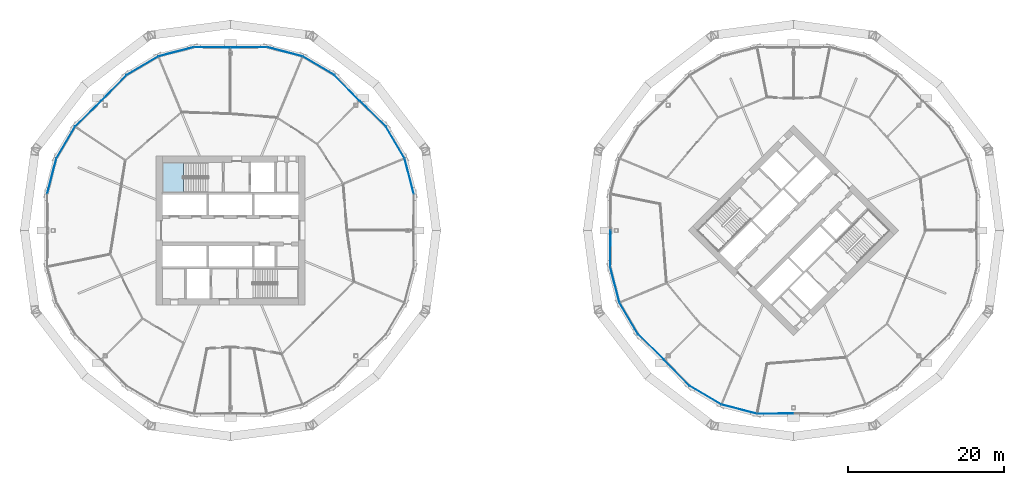
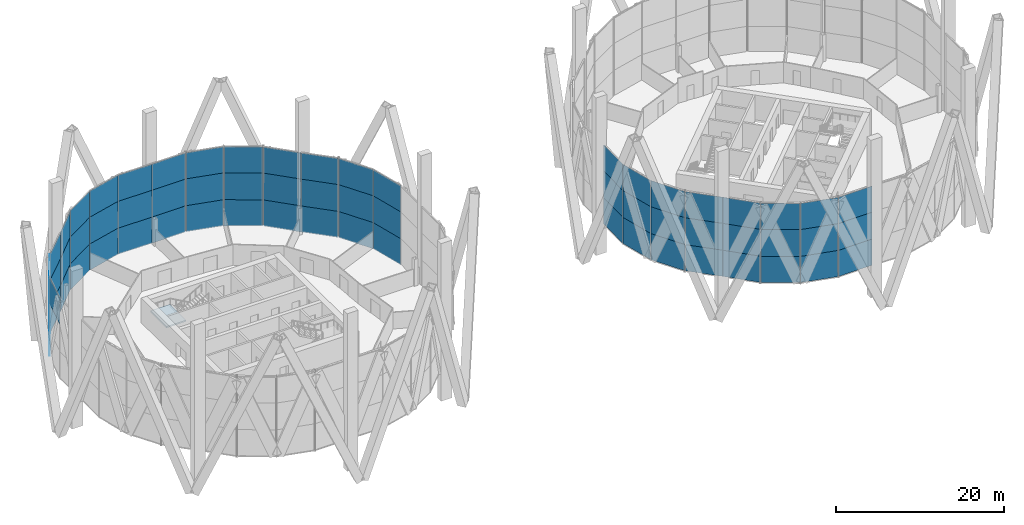
# One storey, part 16 of 26: 64 plates, 1 slab, 7 elements without a shape of their own.
"""IFC4 building model written with IfcOpenShell, lengths in metres."""

from ifc_helpers import new_model, si_unit, direction, frame, origin, origin_2d, place, context, subcontext, project, spatial, polyline, rectangle, outline, extrude, material, layer, layer_set, type_object, element, aggregate, save


model = new_model("IFC4")

# Units and contexts
model_context = context("Model", 3, precision=1e-05, world=origin(), true_north=direction((0.0, 1.0)))
body_context = subcontext(model_context, "Body", "Model", "MODEL_VIEW")
ifc_project = project(units=[si_unit("LENGTHUNIT", "METRE"), si_unit("AREAUNIT", "SQUARE_METRE"), si_unit("VOLUMEUNIT", "CUBIC_METRE"), si_unit("PLANEANGLEUNIT", "RADIAN"), si_unit("MASSUNIT", "GRAM", prefix="KILO")], contexts=[model_context])

# Site, building, storey
site_placement = place(None, origin())
site = spatial("IfcSite", under=ifc_project, at=site_placement, CompositionType="ELEMENT")
building_placement = place(site_placement, origin())
building = spatial("IfcBuilding", under=site, at=building_placement, Name="Ogive Gate Towers", CompositionType="ELEMENT")
storey_placement = place(building_placement, frame((0.0, 0.0, 76.199951171875)))
storey = spatial("IfcBuildingStorey", under=building, at=storey_placement, Name="L17", CompositionType="ELEMENT", Elevation=76.199951171875)

# Stair, slab
ifc_material_1 = material(Name="Concrete C40/50", Category="concrete")
stair_type = type_object("IfcStairType", Name="Escape stair 1840 wide", PredefinedType="HALF_TURN_STAIR", material=ifc_material_1)
stair_placement = place(storey_placement, origin())
stair = element("IfcStair", 1, at=stair_placement, inside=storey, type_object=stair_type, Name="L17 Escape stair 1", PredefinedType="HALF_TURN_STAIR")
ifc_layer_1 = layer(ifc_material_1, 0.199951171875)
ifc_layer_set_1 = layer_set([ifc_layer_1], Name="Stair landing 200 mm")
slab_type = type_object("IfcSlabType", Name="Stair landing 200 mm", PredefinedType="LANDING", material=ifc_layer_set_1)
slab_placement = place(storey_placement, frame((0.0, 0.0, 1.75)))
slab = element("IfcSlab", 2, at=slab_placement, type_object=slab_type, Name="ST1 landing 1", PredefinedType="LANDING", context=body_context, shape_type="SweptSolid", body=[
    extrude(outline(polyline([(-42.00146484375, 8.699951171875), (-44.699951171875, 8.699951171875), (-44.699951171875, 4.875), (-42.00146484375, 4.875), (-42.00146484375, 8.699951171875)])), origin(), (0.0, 0.0, 1.0), 0.199951171875),
])
aggregate(stair, [slab])

# Curtain wall, plates
ifc_material_2 = material(Name="Pale metal aluminium", Category="aluminium")
curtain_wall_type = type_object("IfcCurtainWallType", Name="Tower unitised wall, low zone", PredefinedType="NOTDEFINED", material=ifc_material_2)
curtain_wall_1_placement = place(storey_placement, origin())
curtain_wall_1 = element("IfcCurtainWall", 3, at=curtain_wall_1_placement, inside=storey, type_object=curtain_wall_type, Name="CW1 T1 ECW01", PredefinedType="NOTDEFINED")
ifc_material_3 = material(Name="Clear glass", Category="glass")
ifc_layer_2 = layer(ifc_material_3, 0.028076171875)
ifc_layer_set_2 = layer_set([ifc_layer_2], Name="Tower unitised wall, low zone glass panel")
plate_type = type_object("IfcPlateType", Name="Tower unitised wall, low zone glass panel", PredefinedType="CURTAIN_PANEL", material=ifc_layer_set_2)
plate_1_placement = place(storey_placement, frame((-13.1455078125, 6.939208984375, -0.2041015625), z_axis=(0.0, 0.0, 1.0), x_axis=(-0.249416730566, 0.968396248709, 0.0)))
plate_1 = element("IfcPlate", 4, at=plate_1_placement, type_object=plate_type, Name="CW1 glass panel", PredefinedType="CURTAIN_PANEL", context=body_context, shape_type="SweptSolid", body=[
    extrude(rectangle(XDim=4.65478515625, YDim=0.028076171875, at=origin_2d()), origin(), (0.0, 0.0, 1.0), 3.803955078125),
])
plate_2_placement = place(storey_placement, frame((-13.1455078125, 6.939208984375, 3.60009765625), z_axis=(0.0, 0.0, 1.0), x_axis=(-0.249416730566, 0.968396248709, 0.0)))
plate_2 = element("IfcPlate", 5, at=plate_2_placement, type_object=plate_type, Name="CW1 glass panel", PredefinedType="CURTAIN_PANEL", context=body_context, shape_type="SweptSolid", body=[
    extrude(rectangle(XDim=4.65478515625, YDim=0.028076171875, at=origin_2d()), origin(), (0.0, 0.0, 1.0), 3.89990234375),
])
plate_3_placement = place(storey_placement, frame((-13.1455078125, 6.939208984375, 7.5), z_axis=(0.0, 0.0, 1.0), x_axis=(-0.249416730566, 0.968396248709, 0.0)))
plate_3 = element("IfcPlate", 6, at=plate_3_placement, type_object=plate_type, Name="CW1 glass panel", PredefinedType="CURTAIN_PANEL", context=body_context, shape_type="SweptSolid", body=[
    extrude(rectangle(XDim=4.65478515625, YDim=0.028076171875, at=origin_2d()), origin(), (0.0, 0.0, 1.0), 3.803955078125),
])
plate_4_placement = place(storey_placement, frame((-14.9326171875, 11.25390625, -0.2041015625), z_axis=(0.0, 0.0, 1.0), x_axis=(-0.508410322181, 0.86111494256, 0.0)))
plate_4 = element("IfcPlate", 7, at=plate_4_placement, type_object=plate_type, Name="CW1 glass panel", PredefinedType="CURTAIN_PANEL", context=body_context, shape_type="SweptSolid", body=[
    extrude(rectangle(XDim=4.65478515625, YDim=0.028076171875, at=origin_2d()), origin(), (0.0, 0.0, 1.0), 3.803955078125),
])
plate_5_placement = place(storey_placement, frame((-14.9326171875, 11.25390625, 3.60009765625), z_axis=(0.0, 0.0, 1.0), x_axis=(-0.508410322181, 0.86111494256, 0.0)))
plate_5 = element("IfcPlate", 8, at=plate_5_placement, type_object=plate_type, Name="CW1 glass panel", PredefinedType="CURTAIN_PANEL", context=body_context, shape_type="SweptSolid", body=[
    extrude(rectangle(XDim=4.65478515625, YDim=0.028076171875, at=origin_2d()), origin(), (0.0, 0.0, 1.0), 3.89990234375),
])
plate_6_placement = place(storey_placement, frame((-14.9326171875, 11.25390625, 7.5), z_axis=(0.0, 0.0, 1.0), x_axis=(-0.508410322181, 0.86111494256, 0.0)))
plate_6 = element("IfcPlate", 9, at=plate_6_placement, type_object=plate_type, Name="CW1 glass panel", PredefinedType="CURTAIN_PANEL", context=body_context, shape_type="SweptSolid", body=[
    extrude(rectangle(XDim=4.65478515625, YDim=0.028076171875, at=origin_2d()), origin(), (0.0, 0.0, 1.0), 3.803955078125),
])
plate_7_placement = place(storey_placement, frame((-17.7939453125, 14.916748046875, -0.2041015625), z_axis=(0.0, 0.0, 1.0), x_axis=(-0.713568438241, 0.700585529358, 0.0)))
plate_7 = element("IfcPlate", 10, at=plate_7_placement, type_object=plate_type, Name="CW1 glass panel", PredefinedType="CURTAIN_PANEL", context=body_context, shape_type="SweptSolid", body=[
    extrude(rectangle(XDim=4.59765625, YDim=0.028076171875, at=origin_2d()), origin(), (0.0, 0.0, 1.0), 3.803955078125),
])
plate_8_placement = place(storey_placement, frame((-17.7939453125, 14.916748046875, 3.60009765625), z_axis=(0.0, 0.0, 1.0), x_axis=(-0.713568438241, 0.700585529358, 0.0)))
plate_8 = element("IfcPlate", 11, at=plate_8_placement, type_object=plate_type, Name="CW1 glass panel", PredefinedType="CURTAIN_PANEL", context=body_context, shape_type="SweptSolid", body=[
    extrude(rectangle(XDim=4.59765625, YDim=0.028076171875, at=origin_2d()), origin(), (0.0, 0.0, 1.0), 3.89990234375),
])
plate_9_placement = place(storey_placement, frame((-17.7939453125, 14.916748046875, 7.5), z_axis=(0.0, 0.0, 1.0), x_axis=(-0.713568438241, 0.700585529358, 0.0)))
plate_9 = element("IfcPlate", 12, at=plate_9_placement, type_object=plate_type, Name="CW1 glass panel", PredefinedType="CURTAIN_PANEL", context=body_context, shape_type="SweptSolid", body=[
    extrude(rectangle(XDim=4.59765625, YDim=0.028076171875, at=origin_2d()), origin(), (0.0, 0.0, 1.0), 3.803955078125),
])
aggregate(curtain_wall_1, [plate_1, plate_2, plate_3, plate_4, plate_5, plate_6, plate_7, plate_8, plate_9])

curtain_wall_2_placement = place(storey_placement, origin())
curtain_wall_2 = element("IfcCurtainWall", 13, at=curtain_wall_2_placement, inside=storey, type_object=curtain_wall_type, Name="CW1 T1 ECW02", PredefinedType="NOTDEFINED")
plate_10_placement = place(storey_placement, frame((-21.083251953125, 18.2060546875, -0.2041015625), z_axis=(0.0, 0.0, 1.0), x_axis=(-0.700585529358, 0.713568438241, 0.0)))
plate_10 = element("IfcPlate", 14, at=plate_10_placement, type_object=plate_type, Name="CW1 glass panel", PredefinedType="CURTAIN_PANEL", context=body_context, shape_type="SweptSolid", body=[
    extrude(rectangle(XDim=4.59765625, YDim=0.028076171875, at=origin_2d()), origin(), (0.0, 0.0, 1.0), 3.803955078125),
])
plate_11_placement = place(storey_placement, frame((-21.083251953125, 18.2060546875, 3.60009765625), z_axis=(0.0, 0.0, 1.0), x_axis=(-0.700585529358, 0.713568438241, 0.0)))
plate_11 = element("IfcPlate", 15, at=plate_11_placement, type_object=plate_type, Name="CW1 glass panel", PredefinedType="CURTAIN_PANEL", context=body_context, shape_type="SweptSolid", body=[
    extrude(rectangle(XDim=4.59765625, YDim=0.028076171875, at=origin_2d()), origin(), (0.0, 0.0, 1.0), 3.89990234375),
])
plate_12_placement = place(storey_placement, frame((-21.083251953125, 18.2060546875, 7.5), z_axis=(0.0, 0.0, 1.0), x_axis=(-0.700585529358, 0.713568438241, 0.0)))
plate_12 = element("IfcPlate", 16, at=plate_12_placement, type_object=plate_type, Name="CW1 glass panel", PredefinedType="CURTAIN_PANEL", context=body_context, shape_type="SweptSolid", body=[
    extrude(rectangle(XDim=4.59765625, YDim=0.028076171875, at=origin_2d()), origin(), (0.0, 0.0, 1.0), 3.803955078125),
])
plate_13_placement = place(storey_placement, frame((-24.74609375, 21.0673828125, -0.2041015625), z_axis=(0.0, 0.0, 1.0), x_axis=(-0.86111494256, 0.508410322181, 0.0)))
plate_13 = element("IfcPlate", 17, at=plate_13_placement, type_object=plate_type, Name="CW1 glass panel", PredefinedType="CURTAIN_PANEL", context=body_context, shape_type="SweptSolid", body=[
    extrude(rectangle(XDim=4.65478515625, YDim=0.028076171875, at=origin_2d()), origin(), (0.0, 0.0, 1.0), 3.803955078125),
])
plate_14_placement = place(storey_placement, frame((-24.74609375, 21.0673828125, 3.60009765625), z_axis=(0.0, 0.0, 1.0), x_axis=(-0.86111494256, 0.508410322181, 0.0)))
plate_14 = element("IfcPlate", 18, at=plate_14_placement, type_object=plate_type, Name="CW1 glass panel", PredefinedType="CURTAIN_PANEL", context=body_context, shape_type="SweptSolid", body=[
    extrude(rectangle(XDim=4.65478515625, YDim=0.028076171875, at=origin_2d()), origin(), (0.0, 0.0, 1.0), 3.89990234375),
])
plate_15_placement = place(storey_placement, frame((-24.74609375, 21.0673828125, 7.5), z_axis=(0.0, 0.0, 1.0), x_axis=(-0.86111494256, 0.508410322181, 0.0)))
plate_15 = element("IfcPlate", 19, at=plate_15_placement, type_object=plate_type, Name="CW1 glass panel", PredefinedType="CURTAIN_PANEL", context=body_context, shape_type="SweptSolid", body=[
    extrude(rectangle(XDim=4.65478515625, YDim=0.028076171875, at=origin_2d()), origin(), (0.0, 0.0, 1.0), 3.803955078125),
])
plate_16_placement = place(storey_placement, frame((-29.060791015625, 22.8544921875, -0.2041015625), z_axis=(0.0, 0.0, 1.0), x_axis=(-0.968396248709, 0.249416730566, 0.0)))
plate_16 = element("IfcPlate", 20, at=plate_16_placement, type_object=plate_type, Name="CW1 glass panel", PredefinedType="CURTAIN_PANEL", context=body_context, shape_type="SweptSolid", body=[
    extrude(rectangle(XDim=4.65478515625, YDim=0.028076171875, at=origin_2d()), origin(), (0.0, 0.0, 1.0), 3.803955078125),
])
plate_17_placement = place(storey_placement, frame((-29.060791015625, 22.8544921875, 3.60009765625), z_axis=(0.0, 0.0, 1.0), x_axis=(-0.968396248709, 0.249416730566, 0.0)))
plate_17 = element("IfcPlate", 21, at=plate_17_placement, type_object=plate_type, Name="CW1 glass panel", PredefinedType="CURTAIN_PANEL", context=body_context, shape_type="SweptSolid", body=[
    extrude(rectangle(XDim=4.65478515625, YDim=0.028076171875, at=origin_2d()), origin(), (0.0, 0.0, 1.0), 3.89990234375),
])
plate_18_placement = place(storey_placement, frame((-29.060791015625, 22.8544921875, 7.5), z_axis=(0.0, 0.0, 1.0), x_axis=(-0.968396248709, 0.249416730566, 0.0)))
plate_18 = element("IfcPlate", 22, at=plate_18_placement, type_object=plate_type, Name="CW1 glass panel", PredefinedType="CURTAIN_PANEL", context=body_context, shape_type="SweptSolid", body=[
    extrude(rectangle(XDim=4.65478515625, YDim=0.028076171875, at=origin_2d()), origin(), (0.0, 0.0, 1.0), 3.803955078125),
])
plate_19_placement = place(storey_placement, frame((-33.67431640625, 23.42138671875, -0.2041015625), z_axis=(0.0, 0.0, 1.0), x_axis=(-0.999957699753, -0.009197755467, 0.0)))
plate_19 = element("IfcPlate", 23, at=plate_19_placement, type_object=plate_type, Name="CW1 glass panel", PredefinedType="CURTAIN_PANEL", context=body_context, shape_type="SweptSolid", body=[
    extrude(rectangle(XDim=4.597900390625, YDim=0.028076171875, at=origin_2d()), origin(), (0.0, 0.0, 1.0), 3.803955078125),
])
plate_20_placement = place(storey_placement, frame((-33.67431640625, 23.42138671875, 3.60009765625), z_axis=(0.0, 0.0, 1.0), x_axis=(-0.999957699753, -0.009197755467, 0.0)))
plate_20 = element("IfcPlate", 24, at=plate_20_placement, type_object=plate_type, Name="CW1 glass panel", PredefinedType="CURTAIN_PANEL", context=body_context, shape_type="SweptSolid", body=[
    extrude(rectangle(XDim=4.597900390625, YDim=0.028076171875, at=origin_2d()), origin(), (0.0, 0.0, 1.0), 3.89990234375),
])
plate_21_placement = place(storey_placement, frame((-33.67431640625, 23.42138671875, 7.5), z_axis=(0.0, 0.0, 1.0), x_axis=(-0.999957699753, -0.009197755467, 0.0)))
plate_21 = element("IfcPlate", 25, at=plate_21_placement, type_object=plate_type, Name="CW1 glass panel", PredefinedType="CURTAIN_PANEL", context=body_context, shape_type="SweptSolid", body=[
    extrude(rectangle(XDim=4.597900390625, YDim=0.028076171875, at=origin_2d()), origin(), (0.0, 0.0, 1.0), 3.803955078125),
])
aggregate(curtain_wall_2, [plate_10, plate_11, plate_12, plate_13, plate_14, plate_15, plate_16, plate_17, plate_18, plate_19, plate_20, plate_21])

curtain_wall_3_placement = place(storey_placement, origin())
curtain_wall_3 = element("IfcCurtainWall", 26, at=curtain_wall_3_placement, inside=storey, type_object=curtain_wall_type, Name="CW1 T1 ECW03", PredefinedType="NOTDEFINED")
plate_22_placement = place(storey_placement, frame((-38.32568359375, 23.42138671875, -0.2041015625), z_axis=(0.0, 0.0, 1.0), x_axis=(-0.999957699753, 0.009197755467, 0.0)))
plate_22 = element("IfcPlate", 27, at=plate_22_placement, type_object=plate_type, Name="CW1 glass panel", PredefinedType="CURTAIN_PANEL", context=body_context, shape_type="SweptSolid", body=[
    extrude(rectangle(XDim=4.597900390625, YDim=0.028076171875, at=origin_2d()), origin(), (0.0, 0.0, 1.0), 3.803955078125),
])
plate_23_placement = place(storey_placement, frame((-38.32568359375, 23.42138671875, 3.60009765625), z_axis=(0.0, 0.0, 1.0), x_axis=(-0.999957699753, 0.009197755467, 0.0)))
plate_23 = element("IfcPlate", 28, at=plate_23_placement, type_object=plate_type, Name="CW1 glass panel", PredefinedType="CURTAIN_PANEL", context=body_context, shape_type="SweptSolid", body=[
    extrude(rectangle(XDim=4.597900390625, YDim=0.028076171875, at=origin_2d()), origin(), (0.0, 0.0, 1.0), 3.89990234375),
])
plate_24_placement = place(storey_placement, frame((-38.32568359375, 23.42138671875, 7.5), z_axis=(0.0, 0.0, 1.0), x_axis=(-0.999957699753, 0.009197755467, 0.0)))
plate_24 = element("IfcPlate", 29, at=plate_24_placement, type_object=plate_type, Name="CW1 glass panel", PredefinedType="CURTAIN_PANEL", context=body_context, shape_type="SweptSolid", body=[
    extrude(rectangle(XDim=4.597900390625, YDim=0.028076171875, at=origin_2d()), origin(), (0.0, 0.0, 1.0), 3.803955078125),
])
plate_25_placement = place(storey_placement, frame((-42.939208984375, 22.8544921875, -0.2041015625), z_axis=(0.0, 0.0, 1.0), x_axis=(-0.968396248709, -0.249416730566, 0.0)))
plate_25 = element("IfcPlate", 30, at=plate_25_placement, type_object=plate_type, Name="CW1 glass panel", PredefinedType="CURTAIN_PANEL", context=body_context, shape_type="SweptSolid", body=[
    extrude(rectangle(XDim=4.65478515625, YDim=0.028076171875, at=origin_2d()), origin(), (0.0, 0.0, 1.0), 3.803955078125),
])
plate_26_placement = place(storey_placement, frame((-42.939208984375, 22.8544921875, 3.60009765625), z_axis=(0.0, 0.0, 1.0), x_axis=(-0.968396248709, -0.249416730566, 0.0)))
plate_26 = element("IfcPlate", 31, at=plate_26_placement, type_object=plate_type, Name="CW1 glass panel", PredefinedType="CURTAIN_PANEL", context=body_context, shape_type="SweptSolid", body=[
    extrude(rectangle(XDim=4.65478515625, YDim=0.028076171875, at=origin_2d()), origin(), (0.0, 0.0, 1.0), 3.89990234375),
])
plate_27_placement = place(storey_placement, frame((-42.939208984375, 22.8544921875, 7.5), z_axis=(0.0, 0.0, 1.0), x_axis=(-0.968396248709, -0.249416730566, 0.0)))
plate_27 = element("IfcPlate", 32, at=plate_27_placement, type_object=plate_type, Name="CW1 glass panel", PredefinedType="CURTAIN_PANEL", context=body_context, shape_type="SweptSolid", body=[
    extrude(rectangle(XDim=4.65478515625, YDim=0.028076171875, at=origin_2d()), origin(), (0.0, 0.0, 1.0), 3.803955078125),
])
plate_28_placement = place(storey_placement, frame((-47.25390625, 21.0673828125, -0.2041015625), z_axis=(0.0, 0.0, 1.0), x_axis=(-0.86111494256, -0.508410322181, 0.0)))
plate_28 = element("IfcPlate", 33, at=plate_28_placement, type_object=plate_type, Name="CW1 glass panel", PredefinedType="CURTAIN_PANEL", context=body_context, shape_type="SweptSolid", body=[
    extrude(rectangle(XDim=4.65478515625, YDim=0.028076171875, at=origin_2d()), origin(), (0.0, 0.0, 1.0), 3.803955078125),
])
plate_29_placement = place(storey_placement, frame((-47.25390625, 21.0673828125, 3.60009765625), z_axis=(0.0, 0.0, 1.0), x_axis=(-0.86111494256, -0.508410322181, 0.0)))
plate_29 = element("IfcPlate", 34, at=plate_29_placement, type_object=plate_type, Name="CW1 glass panel", PredefinedType="CURTAIN_PANEL", context=body_context, shape_type="SweptSolid", body=[
    extrude(rectangle(XDim=4.65478515625, YDim=0.028076171875, at=origin_2d()), origin(), (0.0, 0.0, 1.0), 3.89990234375),
])
plate_30_placement = place(storey_placement, frame((-47.25390625, 21.0673828125, 7.5), z_axis=(0.0, 0.0, 1.0), x_axis=(-0.86111494256, -0.508410322181, 0.0)))
plate_30 = element("IfcPlate", 35, at=plate_30_placement, type_object=plate_type, Name="CW1 glass panel", PredefinedType="CURTAIN_PANEL", context=body_context, shape_type="SweptSolid", body=[
    extrude(rectangle(XDim=4.65478515625, YDim=0.028076171875, at=origin_2d()), origin(), (0.0, 0.0, 1.0), 3.803955078125),
])
plate_31_placement = place(storey_placement, frame((-50.916748046875, 18.2060546875, -0.2041015625), z_axis=(0.0, 0.0, 1.0), x_axis=(-0.700585529358, -0.713568438241, 0.0)))
plate_31 = element("IfcPlate", 36, at=plate_31_placement, type_object=plate_type, Name="CW1 glass panel", PredefinedType="CURTAIN_PANEL", context=body_context, shape_type="SweptSolid", body=[
    extrude(rectangle(XDim=4.59765625, YDim=0.028076171875, at=origin_2d()), origin(), (0.0, 0.0, 1.0), 3.803955078125),
])
plate_32_placement = place(storey_placement, frame((-50.916748046875, 18.2060546875, 3.60009765625), z_axis=(0.0, 0.0, 1.0), x_axis=(-0.700585529358, -0.713568438241, 0.0)))
plate_32 = element("IfcPlate", 37, at=plate_32_placement, type_object=plate_type, Name="CW1 glass panel", PredefinedType="CURTAIN_PANEL", context=body_context, shape_type="SweptSolid", body=[
    extrude(rectangle(XDim=4.59765625, YDim=0.028076171875, at=origin_2d()), origin(), (0.0, 0.0, 1.0), 3.89990234375),
])
plate_33_placement = place(storey_placement, frame((-50.916748046875, 18.2060546875, 7.5), z_axis=(0.0, 0.0, 1.0), x_axis=(-0.700585529358, -0.713568438241, 0.0)))
plate_33 = element("IfcPlate", 38, at=plate_33_placement, type_object=plate_type, Name="CW1 glass panel", PredefinedType="CURTAIN_PANEL", context=body_context, shape_type="SweptSolid", body=[
    extrude(rectangle(XDim=4.59765625, YDim=0.028076171875, at=origin_2d()), origin(), (0.0, 0.0, 1.0), 3.803955078125),
])
aggregate(curtain_wall_3, [plate_22, plate_23, plate_24, plate_25, plate_26, plate_27, plate_28, plate_29, plate_30, plate_31, plate_32, plate_33])

curtain_wall_4_placement = place(storey_placement, origin())
curtain_wall_4 = element("IfcCurtainWall", 39, at=curtain_wall_4_placement, inside=storey, type_object=curtain_wall_type, Name="CW1 T1 ECW04", PredefinedType="NOTDEFINED")
plate_34_placement = place(storey_placement, frame((-54.2060546875, 14.916748046875, -0.2041015625), z_axis=(0.0, 0.0, 1.0), x_axis=(-0.713568438241, -0.700585529358, 0.0)))
plate_34 = element("IfcPlate", 40, at=plate_34_placement, type_object=plate_type, Name="CW1 glass panel", PredefinedType="CURTAIN_PANEL", context=body_context, shape_type="SweptSolid", body=[
    extrude(rectangle(XDim=4.59765625, YDim=0.028076171875, at=origin_2d()), origin(), (0.0, 0.0, 1.0), 3.803955078125),
])
plate_35_placement = place(storey_placement, frame((-54.2060546875, 14.916748046875, 3.60009765625), z_axis=(0.0, 0.0, 1.0), x_axis=(-0.713568438241, -0.700585529358, 0.0)))
plate_35 = element("IfcPlate", 41, at=plate_35_placement, type_object=plate_type, Name="CW1 glass panel", PredefinedType="CURTAIN_PANEL", context=body_context, shape_type="SweptSolid", body=[
    extrude(rectangle(XDim=4.59765625, YDim=0.028076171875, at=origin_2d()), origin(), (0.0, 0.0, 1.0), 3.89990234375),
])
plate_36_placement = place(storey_placement, frame((-54.2060546875, 14.916748046875, 7.5), z_axis=(0.0, 0.0, 1.0), x_axis=(-0.713568438241, -0.700585529358, 0.0)))
plate_36 = element("IfcPlate", 42, at=plate_36_placement, type_object=plate_type, Name="CW1 glass panel", PredefinedType="CURTAIN_PANEL", context=body_context, shape_type="SweptSolid", body=[
    extrude(rectangle(XDim=4.59765625, YDim=0.028076171875, at=origin_2d()), origin(), (0.0, 0.0, 1.0), 3.803955078125),
])
plate_37_placement = place(storey_placement, frame((-57.0673828125, 11.25390625, -0.2041015625), z_axis=(0.0, 0.0, 1.0), x_axis=(-0.508410322181, -0.86111494256, 0.0)))
plate_37 = element("IfcPlate", 43, at=plate_37_placement, type_object=plate_type, Name="CW1 glass panel", PredefinedType="CURTAIN_PANEL", context=body_context, shape_type="SweptSolid", body=[
    extrude(rectangle(XDim=4.65478515625, YDim=0.028076171875, at=origin_2d()), origin(), (0.0, 0.0, 1.0), 3.803955078125),
])
plate_38_placement = place(storey_placement, frame((-57.0673828125, 11.25390625, 3.60009765625), z_axis=(0.0, 0.0, 1.0), x_axis=(-0.508410322181, -0.86111494256, 0.0)))
plate_38 = element("IfcPlate", 44, at=plate_38_placement, type_object=plate_type, Name="CW1 glass panel", PredefinedType="CURTAIN_PANEL", context=body_context, shape_type="SweptSolid", body=[
    extrude(rectangle(XDim=4.65478515625, YDim=0.028076171875, at=origin_2d()), origin(), (0.0, 0.0, 1.0), 3.89990234375),
])
plate_39_placement = place(storey_placement, frame((-57.0673828125, 11.25390625, 7.5), z_axis=(0.0, 0.0, 1.0), x_axis=(-0.508410322181, -0.86111494256, 0.0)))
plate_39 = element("IfcPlate", 45, at=plate_39_placement, type_object=plate_type, Name="CW1 glass panel", PredefinedType="CURTAIN_PANEL", context=body_context, shape_type="SweptSolid", body=[
    extrude(rectangle(XDim=4.65478515625, YDim=0.028076171875, at=origin_2d()), origin(), (0.0, 0.0, 1.0), 3.803955078125),
])
plate_40_placement = place(storey_placement, frame((-58.8544921875, 6.939208984375, 7.5), z_axis=(0.0, 0.0, 1.0), x_axis=(-0.249416730566, -0.968396248709, 0.0)))
plate_40 = element("IfcPlate", 46, at=plate_40_placement, type_object=plate_type, Name="CW1 glass panel", PredefinedType="CURTAIN_PANEL", context=body_context, shape_type="SweptSolid", body=[
    extrude(rectangle(XDim=4.65478515625, YDim=0.028076171875, at=origin_2d()), origin(), (0.0, 0.0, 1.0), 3.803955078125),
])
aggregate(curtain_wall_4, [plate_34, plate_35, plate_36, plate_37, plate_38, plate_39, plate_40])

curtain_wall_5_placement = place(storey_placement, origin())
curtain_wall_5 = element("IfcCurtainWall", 47, at=curtain_wall_5_placement, inside=storey, type_object=curtain_wall_type, Name="CW1 T2 ECW05", PredefinedType="NOTDEFINED")
plate_41_placement = place(storey_placement, frame((12.57861328125, -2.32568359375, -0.2041015625), z_axis=(0.0, 0.0, 1.0), x_axis=(-0.009197755467, -0.999957699753, 0.0)))
plate_41 = element("IfcPlate", 48, at=plate_41_placement, type_object=plate_type, Name="CW1 glass panel", PredefinedType="CURTAIN_PANEL", context=body_context, shape_type="SweptSolid", body=[
    extrude(rectangle(XDim=4.597900390625, YDim=0.028076171875, at=origin_2d()), origin(), (0.0, 0.0, 1.0), 3.803955078125),
])
plate_42_placement = place(storey_placement, frame((12.57861328125, -2.32568359375, 3.60009765625), z_axis=(0.0, 0.0, 1.0), x_axis=(-0.009197755467, -0.999957699753, 0.0)))
plate_42 = element("IfcPlate", 49, at=plate_42_placement, type_object=plate_type, Name="CW1 glass panel", PredefinedType="CURTAIN_PANEL", context=body_context, shape_type="SweptSolid", body=[
    extrude(rectangle(XDim=4.597900390625, YDim=0.028076171875, at=origin_2d()), origin(), (0.0, 0.0, 1.0), 3.89990234375),
])
plate_43_placement = place(storey_placement, frame((12.57861328125, -2.32568359375, 7.5), z_axis=(0.0, 0.0, 1.0), x_axis=(-0.009197755467, -0.999957699753, 0.0)))
plate_43 = element("IfcPlate", 50, at=plate_43_placement, type_object=plate_type, Name="CW1 glass panel", PredefinedType="CURTAIN_PANEL", context=body_context, shape_type="SweptSolid", body=[
    extrude(rectangle(XDim=4.597900390625, YDim=0.028076171875, at=origin_2d()), origin(), (0.0, 0.0, 1.0), 3.803955078125),
])
plate_44_placement = place(storey_placement, frame((13.1455078125, -6.939208984375, -0.2041015625), z_axis=(0.0, 0.0, 1.0), x_axis=(0.249416730566, -0.968396248709, 0.0)))
plate_44 = element("IfcPlate", 51, at=plate_44_placement, type_object=plate_type, Name="CW1 glass panel", PredefinedType="CURTAIN_PANEL", context=body_context, shape_type="SweptSolid", body=[
    extrude(rectangle(XDim=4.65478515625, YDim=0.028076171875, at=origin_2d()), origin(), (0.0, 0.0, 1.0), 3.803955078125),
])
plate_45_placement = place(storey_placement, frame((13.1455078125, -6.939208984375, 3.60009765625), z_axis=(0.0, 0.0, 1.0), x_axis=(0.249416730566, -0.968396248709, 0.0)))
plate_45 = element("IfcPlate", 52, at=plate_45_placement, type_object=plate_type, Name="CW1 glass panel", PredefinedType="CURTAIN_PANEL", context=body_context, shape_type="SweptSolid", body=[
    extrude(rectangle(XDim=4.65478515625, YDim=0.028076171875, at=origin_2d()), origin(), (0.0, 0.0, 1.0), 3.89990234375),
])
plate_46_placement = place(storey_placement, frame((13.1455078125, -6.939208984375, 7.5), z_axis=(0.0, 0.0, 1.0), x_axis=(0.249416730566, -0.968396248709, 0.0)))
plate_46 = element("IfcPlate", 53, at=plate_46_placement, type_object=plate_type, Name="CW1 glass panel", PredefinedType="CURTAIN_PANEL", context=body_context, shape_type="SweptSolid", body=[
    extrude(rectangle(XDim=4.65478515625, YDim=0.028076171875, at=origin_2d()), origin(), (0.0, 0.0, 1.0), 3.803955078125),
])
plate_47_placement = place(storey_placement, frame((14.9326171875, -11.25390625, -0.2041015625), z_axis=(0.0, 0.0, 1.0), x_axis=(0.508410322181, -0.86111494256, 0.0)))
plate_47 = element("IfcPlate", 54, at=plate_47_placement, type_object=plate_type, Name="CW1 glass panel", PredefinedType="CURTAIN_PANEL", context=body_context, shape_type="SweptSolid", body=[
    extrude(rectangle(XDim=4.65478515625, YDim=0.028076171875, at=origin_2d()), origin(), (0.0, 0.0, 1.0), 3.803955078125),
])
plate_48_placement = place(storey_placement, frame((14.9326171875, -11.25390625, 3.60009765625), z_axis=(0.0, 0.0, 1.0), x_axis=(0.508410322181, -0.86111494256, 0.0)))
plate_48 = element("IfcPlate", 55, at=plate_48_placement, type_object=plate_type, Name="CW1 glass panel", PredefinedType="CURTAIN_PANEL", context=body_context, shape_type="SweptSolid", body=[
    extrude(rectangle(XDim=4.65478515625, YDim=0.028076171875, at=origin_2d()), origin(), (0.0, 0.0, 1.0), 3.89990234375),
])
plate_49_placement = place(storey_placement, frame((14.9326171875, -11.25390625, 7.5), z_axis=(0.0, 0.0, 1.0), x_axis=(0.508410322181, -0.86111494256, 0.0)))
plate_49 = element("IfcPlate", 56, at=plate_49_placement, type_object=plate_type, Name="CW1 glass panel", PredefinedType="CURTAIN_PANEL", context=body_context, shape_type="SweptSolid", body=[
    extrude(rectangle(XDim=4.65478515625, YDim=0.028076171875, at=origin_2d()), origin(), (0.0, 0.0, 1.0), 3.803955078125),
])
plate_50_placement = place(storey_placement, frame((17.7939453125, -14.916748046875, -0.2041015625), z_axis=(0.0, 0.0, 1.0), x_axis=(0.713568438241, -0.700585529358, 0.0)))
plate_50 = element("IfcPlate", 57, at=plate_50_placement, type_object=plate_type, Name="CW1 glass panel", PredefinedType="CURTAIN_PANEL", context=body_context, shape_type="SweptSolid", body=[
    extrude(rectangle(XDim=4.59765625, YDim=0.028076171875, at=origin_2d()), origin(), (0.0, 0.0, 1.0), 3.803955078125),
])
plate_51_placement = place(storey_placement, frame((17.7939453125, -14.916748046875, 3.60009765625), z_axis=(0.0, 0.0, 1.0), x_axis=(0.713568438241, -0.700585529358, 0.0)))
plate_51 = element("IfcPlate", 58, at=plate_51_placement, type_object=plate_type, Name="CW1 glass panel", PredefinedType="CURTAIN_PANEL", context=body_context, shape_type="SweptSolid", body=[
    extrude(rectangle(XDim=4.59765625, YDim=0.028076171875, at=origin_2d()), origin(), (0.0, 0.0, 1.0), 3.89990234375),
])
plate_52_placement = place(storey_placement, frame((17.7939453125, -14.916748046875, 7.5), z_axis=(0.0, 0.0, 1.0), x_axis=(0.713568438241, -0.700585529358, 0.0)))
plate_52 = element("IfcPlate", 59, at=plate_52_placement, type_object=plate_type, Name="CW1 glass panel", PredefinedType="CURTAIN_PANEL", context=body_context, shape_type="SweptSolid", body=[
    extrude(rectangle(XDim=4.59765625, YDim=0.028076171875, at=origin_2d()), origin(), (0.0, 0.0, 1.0), 3.803955078125),
])
aggregate(curtain_wall_5, [plate_41, plate_42, plate_43, plate_44, plate_45, plate_46, plate_47, plate_48, plate_49, plate_50, plate_51, plate_52])

curtain_wall_6_placement = place(storey_placement, origin())
curtain_wall_6 = element("IfcCurtainWall", 60, at=curtain_wall_6_placement, inside=storey, type_object=curtain_wall_type, Name="CW1 T2 ECW06", PredefinedType="NOTDEFINED")
plate_53_placement = place(storey_placement, frame((21.083251953125, -18.2060546875, -0.2041015625), z_axis=(0.0, 0.0, 1.0), x_axis=(0.700585529358, -0.713568438241, 0.0)))
plate_53 = element("IfcPlate", 61, at=plate_53_placement, type_object=plate_type, Name="CW1 glass panel", PredefinedType="CURTAIN_PANEL", context=body_context, shape_type="SweptSolid", body=[
    extrude(rectangle(XDim=4.59765625, YDim=0.028076171875, at=origin_2d()), origin(), (0.0, 0.0, 1.0), 3.803955078125),
])
plate_54_placement = place(storey_placement, frame((21.083251953125, -18.2060546875, 3.60009765625), z_axis=(0.0, 0.0, 1.0), x_axis=(0.700585529358, -0.713568438241, 0.0)))
plate_54 = element("IfcPlate", 62, at=plate_54_placement, type_object=plate_type, Name="CW1 glass panel", PredefinedType="CURTAIN_PANEL", context=body_context, shape_type="SweptSolid", body=[
    extrude(rectangle(XDim=4.59765625, YDim=0.028076171875, at=origin_2d()), origin(), (0.0, 0.0, 1.0), 3.89990234375),
])
plate_55_placement = place(storey_placement, frame((21.083251953125, -18.2060546875, 7.5), z_axis=(0.0, 0.0, 1.0), x_axis=(0.700585529358, -0.713568438241, 0.0)))
plate_55 = element("IfcPlate", 63, at=plate_55_placement, type_object=plate_type, Name="CW1 glass panel", PredefinedType="CURTAIN_PANEL", context=body_context, shape_type="SweptSolid", body=[
    extrude(rectangle(XDim=4.59765625, YDim=0.028076171875, at=origin_2d()), origin(), (0.0, 0.0, 1.0), 3.803955078125),
])
plate_56_placement = place(storey_placement, frame((24.74609375, -21.0673828125, -0.2041015625), z_axis=(0.0, 0.0, 1.0), x_axis=(0.86111494256, -0.508410322181, 0.0)))
plate_56 = element("IfcPlate", 64, at=plate_56_placement, type_object=plate_type, Name="CW1 glass panel", PredefinedType="CURTAIN_PANEL", context=body_context, shape_type="SweptSolid", body=[
    extrude(rectangle(XDim=4.65478515625, YDim=0.028076171875, at=origin_2d()), origin(), (0.0, 0.0, 1.0), 3.803955078125),
])
plate_57_placement = place(storey_placement, frame((24.74609375, -21.0673828125, 3.60009765625), z_axis=(0.0, 0.0, 1.0), x_axis=(0.86111494256, -0.508410322181, 0.0)))
plate_57 = element("IfcPlate", 65, at=plate_57_placement, type_object=plate_type, Name="CW1 glass panel", PredefinedType="CURTAIN_PANEL", context=body_context, shape_type="SweptSolid", body=[
    extrude(rectangle(XDim=4.65478515625, YDim=0.028076171875, at=origin_2d()), origin(), (0.0, 0.0, 1.0), 3.89990234375),
])
plate_58_placement = place(storey_placement, frame((24.74609375, -21.0673828125, 7.5), z_axis=(0.0, 0.0, 1.0), x_axis=(0.86111494256, -0.508410322181, 0.0)))
plate_58 = element("IfcPlate", 66, at=plate_58_placement, type_object=plate_type, Name="CW1 glass panel", PredefinedType="CURTAIN_PANEL", context=body_context, shape_type="SweptSolid", body=[
    extrude(rectangle(XDim=4.65478515625, YDim=0.028076171875, at=origin_2d()), origin(), (0.0, 0.0, 1.0), 3.803955078125),
])
plate_59_placement = place(storey_placement, frame((29.060791015625, -22.8544921875, -0.2041015625), z_axis=(0.0, 0.0, 1.0), x_axis=(0.968396248709, -0.249416730566, 0.0)))
plate_59 = element("IfcPlate", 67, at=plate_59_placement, type_object=plate_type, Name="CW1 glass panel", PredefinedType="CURTAIN_PANEL", context=body_context, shape_type="SweptSolid", body=[
    extrude(rectangle(XDim=4.65478515625, YDim=0.028076171875, at=origin_2d()), origin(), (0.0, 0.0, 1.0), 3.803955078125),
])
plate_60_placement = place(storey_placement, frame((29.060791015625, -22.8544921875, 3.60009765625), z_axis=(0.0, 0.0, 1.0), x_axis=(0.968396248709, -0.249416730566, 0.0)))
plate_60 = element("IfcPlate", 68, at=plate_60_placement, type_object=plate_type, Name="CW1 glass panel", PredefinedType="CURTAIN_PANEL", context=body_context, shape_type="SweptSolid", body=[
    extrude(rectangle(XDim=4.65478515625, YDim=0.028076171875, at=origin_2d()), origin(), (0.0, 0.0, 1.0), 3.89990234375),
])
plate_61_placement = place(storey_placement, frame((29.060791015625, -22.8544921875, 7.5), z_axis=(0.0, 0.0, 1.0), x_axis=(0.968396248709, -0.249416730566, 0.0)))
plate_61 = element("IfcPlate", 69, at=plate_61_placement, type_object=plate_type, Name="CW1 glass panel", PredefinedType="CURTAIN_PANEL", context=body_context, shape_type="SweptSolid", body=[
    extrude(rectangle(XDim=4.65478515625, YDim=0.028076171875, at=origin_2d()), origin(), (0.0, 0.0, 1.0), 3.803955078125),
])
plate_62_placement = place(storey_placement, frame((33.67431640625, -23.42138671875, -0.2041015625), z_axis=(0.0, 0.0, 1.0), x_axis=(0.999957699753, 0.009197755467, 0.0)))
plate_62 = element("IfcPlate", 70, at=plate_62_placement, type_object=plate_type, Name="CW1 glass panel", PredefinedType="CURTAIN_PANEL", context=body_context, shape_type="SweptSolid", body=[
    extrude(rectangle(XDim=4.597900390625, YDim=0.028076171875, at=origin_2d()), origin(), (0.0, 0.0, 1.0), 3.803955078125),
])
plate_63_placement = place(storey_placement, frame((33.67431640625, -23.42138671875, 3.60009765625), z_axis=(0.0, 0.0, 1.0), x_axis=(0.999957699753, 0.009197755467, 0.0)))
plate_63 = element("IfcPlate", 71, at=plate_63_placement, type_object=plate_type, Name="CW1 glass panel", PredefinedType="CURTAIN_PANEL", context=body_context, shape_type="SweptSolid", body=[
    extrude(rectangle(XDim=4.597900390625, YDim=0.028076171875, at=origin_2d()), origin(), (0.0, 0.0, 1.0), 3.89990234375),
])
plate_64_placement = place(storey_placement, frame((33.67431640625, -23.42138671875, 7.5), z_axis=(0.0, 0.0, 1.0), x_axis=(0.999957699753, 0.009197755467, 0.0)))
plate_64 = element("IfcPlate", 72, at=plate_64_placement, type_object=plate_type, Name="CW1 glass panel", PredefinedType="CURTAIN_PANEL", context=body_context, shape_type="SweptSolid", body=[
    extrude(rectangle(XDim=4.597900390625, YDim=0.028076171875, at=origin_2d()), origin(), (0.0, 0.0, 1.0), 3.803955078125),
])
aggregate(curtain_wall_6, [plate_53, plate_54, plate_55, plate_56, plate_57, plate_58, plate_59, plate_60, plate_61, plate_62, plate_63, plate_64])

save(model, "model.ifc")
